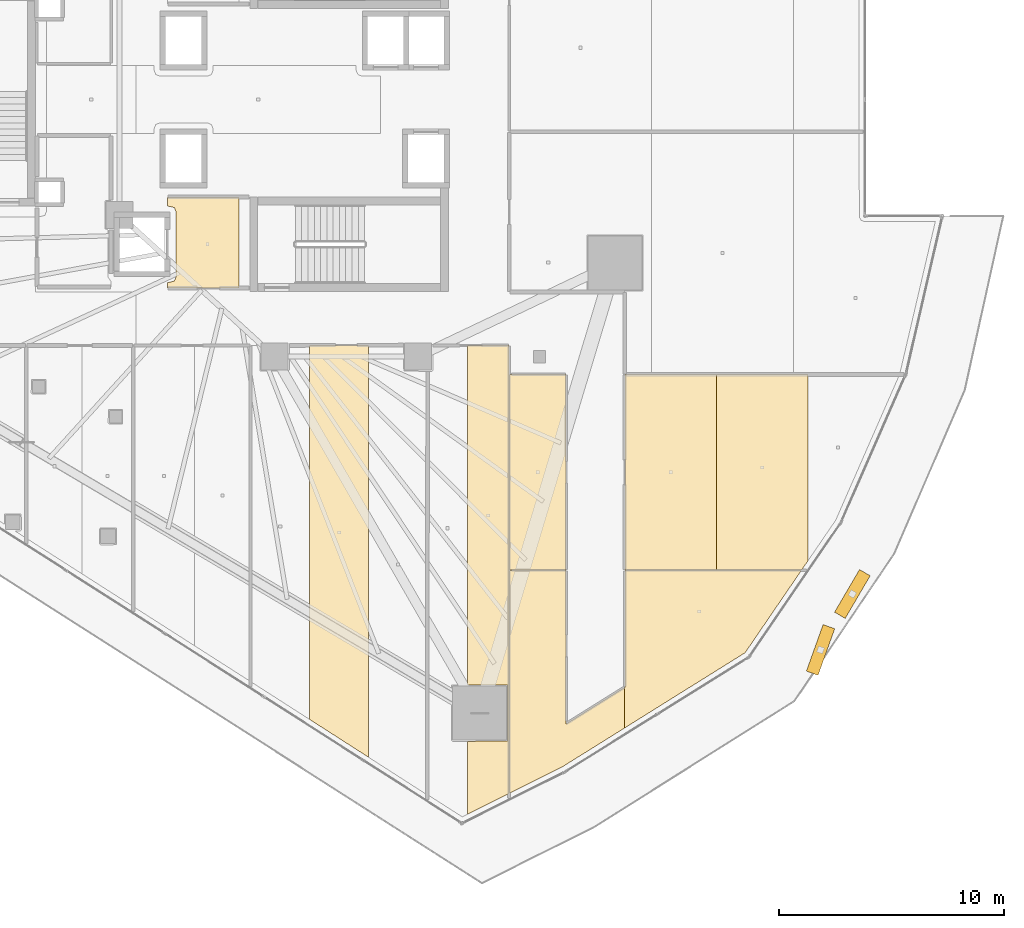
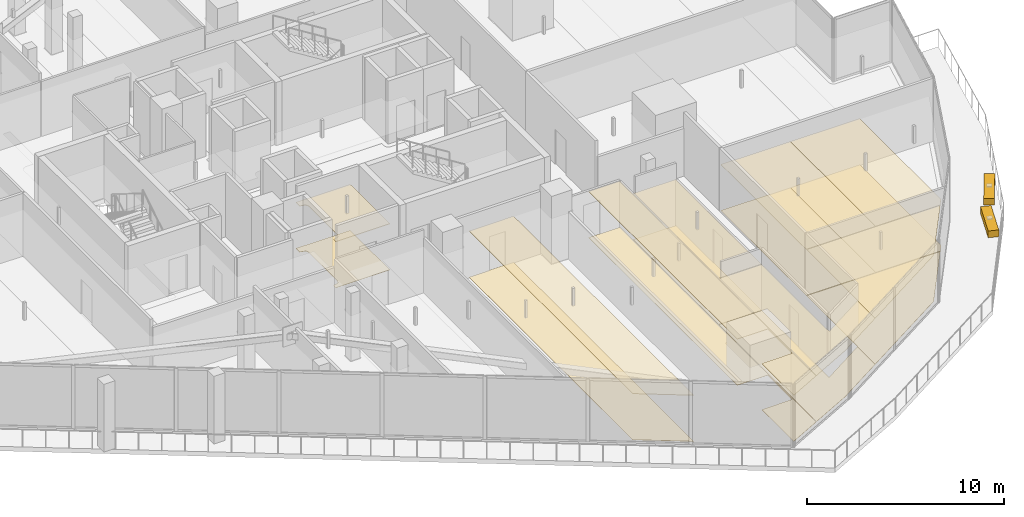
# One storey, part 41 of 47: 16 coverings, 2 shading devices.
"""IFC4 building model written with IfcOpenShell, lengths in metres."""

from ifc_helpers import new_model, si_unit, direction, frame, origin, origin_2d, place, context, subcontext, project, spatial, polyline, rectangle, outline, extrude, material, layer, layer_set, type_object, element, save


model = new_model("IFC4")

# Units and contexts
model_context = context("Model", 3, precision=1e-05, world=origin(), true_north=direction((0.0, 1.0)))
body_context = subcontext(model_context, "Body", "Model", "MODEL_VIEW")
ifc_project = project(units=[si_unit("LENGTHUNIT", "METRE"), si_unit("AREAUNIT", "SQUARE_METRE"), si_unit("VOLUMEUNIT", "CUBIC_METRE"), si_unit("PLANEANGLEUNIT", "RADIAN"), si_unit("MASSUNIT", "GRAM", prefix="KILO")], contexts=[model_context])

# Site, building, storey
site_placement = place(None, origin())
site = spatial("IfcSite", under=ifc_project, at=site_placement, CompositionType="ELEMENT")
building_placement = place(site_placement, origin())
building = spatial("IfcBuilding", under=site, at=building_placement, Name="Qorvath Tower", CompositionType="ELEMENT")
storey_placement = place(building_placement, frame((0.0, 0.0, 74.39990234375)))
storey = spatial("IfcBuildingStorey", under=building, at=storey_placement, Name="L16", CompositionType="ELEMENT", Elevation=74.39990234375)

# Coverings
ifc_material_1 = material(Name="Acoustic mineral fibre ceiling tile", Category="gypsum")
ifc_layer_1 = layer(ifc_material_1, 0.030029296875)
ifc_layer_set_1 = layer_set([ifc_layer_1], Name="COV-CEIL")
covering_type_1 = type_object("IfcCoveringType", Name="COV-CEIL", PredefinedType="CEILING", material=ifc_layer_set_1)
covering_1_placement = place(storey_placement, frame((0.0, 0.0, 2.85009765625)))
element("IfcCovering", 1, at=covering_1_placement, inside=storey, type_object=covering_type_1, Name="L16 Suspended Acoustic Ceiling 002", PredefinedType="CEILING", context=body_context, shape_type="SweptSolid", body=[
    extrude(outline(polyline([(-25.18994140625, -8.39501953125), (-25.18994140625, -4.35498046875), (-28.375, -4.35498046875), (-28.375, -4.739990234375), (-28.063232421875, -4.813232421875), (-27.989990234375, -4.989990234375), (-27.989990234375, -7.909912109375), (-28.063232421875, -8.086669921875), (-28.375, -8.159912109375), (-28.375, -8.39501953125), (-25.18994140625, -8.39501953125)])), origin(), (0.0, 0.0, 1.0), 0.030029296875),
])
covering_2_placement = place(storey_placement, frame((0.0, 0.0, 2.85009765625)))
element("IfcCovering", 2, at=covering_2_placement, inside=storey, type_object=covering_type_1, Name="L16 Suspended Acoustic Ceiling 019", PredefinedType="CEILING", context=body_context, shape_type="SweptSolid", body=[
    extrude(outline(polyline([(-22.031005859375, -10.958740234375), (-22.031005859375, -27.615478515625), (-19.408447265625, -29.298095703125), (-19.408447265625, -10.947021484375), (-22.031005859375, -10.958740234375)])), origin(), (0.0, 0.0, 1.0), 0.030029296875),
])
covering_3_placement = place(storey_placement, frame((0.0, 0.0, 2.85009765625)))
element("IfcCovering", 3, at=covering_3_placement, inside=storey, type_object=covering_type_1, Name="L16 Suspended Acoustic Ceiling 022", PredefinedType="CEILING", context=body_context, shape_type="SweptSolid", body=[
    extrude(outline(polyline([(-13.155029296875, -30.91064453125), (-13.155029296875, -10.962890625), (-15.00830078125, -10.962890625), (-15.00830078125, -26.08837890625), (-13.221923828125, -26.08837890625), (-13.221923828125, -28.5732421875), (-15.00830078125, -28.5859375), (-15.00830078125, -31.837158203125), (-13.155029296875, -30.91064453125)])), origin(), (0.0, 0.0, 1.0), 0.030029296875),
])
covering_4_placement = place(storey_placement, frame((0.0, 0.0, 2.85009765625)))
element("IfcCovering", 4, at=covering_4_placement, inside=storey, type_object=covering_type_1, Name="L16 Suspended Acoustic Ceiling 023", PredefinedType="CEILING", context=body_context, shape_type="SweptSolid", body=[
    extrude(outline(polyline([(-13.136962890625, -20.970703125), (-13.136962890625, -30.901611328125), (-10.7705078125, -29.71826171875), (-8.008544921875, -27.99365234375), (-8.008544921875, -26.184814453125), (-10.608642578125, -27.809814453125), (-10.613037109375, -20.970703125), (-13.136962890625, -20.970703125)])), origin(), (0.0, 0.0, 1.0), 0.030029296875),
])
covering_5_placement = place(storey_placement, frame((0.0, 0.0, 2.85009765625)))
element("IfcCovering", 5, at=covering_5_placement, inside=storey, type_object=covering_type_1, Name="L16 Suspended Acoustic Ceiling 024", PredefinedType="CEILING", context=body_context, shape_type="SweptSolid", body=[
    extrude(outline(polyline([(-8.008544921875, -26.184814453125), (-8.008544921875, -27.99365234375), (-2.63671875, -24.639404296875), (-0.130859375, -20.970703125), (-7.987060546875, -20.970703125), (-7.987060546875, -26.17138671875), (-8.008544921875, -26.184814453125)])), origin(), (0.0, 0.0, 1.0), 0.030029296875),
])
covering_6_placement = place(storey_placement, frame((0.0, 0.0, 2.85009765625)))
element("IfcCovering", 6, at=covering_6_placement, inside=storey, type_object=covering_type_1, Name="L16 Suspended Acoustic Ceiling 025", PredefinedType="CEILING", context=body_context, shape_type="SweptSolid", body=[
    extrude(outline(polyline([(-7.987060546875, -12.254150390625), (-7.987060546875, -20.95263671875), (-3.912353515625, -20.95263671875), (-3.912353515625, -12.254150390625), (-7.987060546875, -12.254150390625)])), origin(), (0.0, 0.0, 1.0), 0.030029296875),
])
covering_7_placement = place(storey_placement, frame((0.0, 0.0, 2.85009765625)))
element("IfcCovering", 7, at=covering_7_placement, inside=storey, type_object=covering_type_1, Name="L16 Suspended Acoustic Ceiling 026", PredefinedType="CEILING", context=body_context, shape_type="SweptSolid", body=[
    extrude(outline(polyline([(-3.912353515625, -12.254150390625), (-3.912353515625, -20.95263671875), (-0.11865234375, -20.95263671875), (0.162353515625, -20.541259765625), (0.162353515625, -12.254150390625), (-3.912353515625, -12.254150390625)])), origin(), (0.0, 0.0, 1.0), 0.030029296875),
])
covering_8_placement = place(storey_placement, frame((0.0, 0.0, 2.85009765625)))
element("IfcCovering", 8, at=covering_8_placement, inside=storey, type_object=covering_type_1, Name="L16 Suspended Acoustic Ceiling 028", PredefinedType="CEILING", context=body_context, shape_type="SweptSolid", body=[
    extrude(outline(polyline([(-10.613037109375, -20.95263671875), (-10.613037109375, -12.254150390625), (-13.136962890625, -12.254150390625), (-13.136962890625, -20.95263671875), (-10.613037109375, -20.95263671875)])), origin(), (0.0, 0.0, 1.0), 0.030029296875),
])
ifc_material_2 = material(Name="Low-VOC modular carpet tile", Category="textile")
ifc_layer_2 = layer(ifc_material_2, 0.014892578125)
ifc_layer_set_2 = layer_set([ifc_layer_2], Name="COV-FLOOR-CPT")
covering_type_2 = type_object("IfcCoveringType", Name="COV-FLOOR-CPT", PredefinedType="FLOORING", material=ifc_layer_set_2)
covering_9_placement = place(storey_placement, origin())
element("IfcCovering", 9, at=covering_9_placement, inside=storey, type_object=covering_type_2, Name="L16 Floor Finish 019", PredefinedType="FLOORING", context=body_context, shape_type="SweptSolid", body=[
    extrude(outline(polyline([(-22.031005859375, -10.958740234375), (-22.031005859375, -27.615478515625), (-19.408447265625, -29.298095703125), (-19.408447265625, -10.947021484375), (-22.031005859375, -10.958740234375)])), origin(), (0.0, 0.0, 1.0), 0.01513671875),
])
covering_10_placement = place(storey_placement, origin())
element("IfcCovering", 10, at=covering_10_placement, inside=storey, type_object=covering_type_2, Name="L16 Floor Finish 022", PredefinedType="FLOORING", context=body_context, shape_type="SweptSolid", body=[
    extrude(outline(polyline([(-13.155029296875, -30.91064453125), (-13.155029296875, -10.962890625), (-15.00830078125, -10.962890625), (-15.00830078125, -26.08837890625), (-13.221923828125, -26.08837890625), (-13.221923828125, -28.5732421875), (-15.00830078125, -28.5859375), (-15.00830078125, -31.837158203125), (-13.155029296875, -30.91064453125)])), origin(), (0.0, 0.0, 1.0), 0.01513671875),
])
covering_11_placement = place(storey_placement, origin())
element("IfcCovering", 11, at=covering_11_placement, inside=storey, type_object=covering_type_2, Name="L16 Floor Finish 023", PredefinedType="FLOORING", context=body_context, shape_type="SweptSolid", body=[
    extrude(outline(polyline([(-13.136962890625, -20.970703125), (-13.136962890625, -30.901611328125), (-10.7705078125, -29.71826171875), (-8.008544921875, -27.99365234375), (-8.008544921875, -26.184814453125), (-10.608642578125, -27.809814453125), (-10.613037109375, -20.970703125), (-13.136962890625, -20.970703125)])), origin(), (0.0, 0.0, 1.0), 0.01513671875),
])
covering_12_placement = place(storey_placement, origin())
element("IfcCovering", 12, at=covering_12_placement, inside=storey, type_object=covering_type_2, Name="L16 Floor Finish 024", PredefinedType="FLOORING", context=body_context, shape_type="SweptSolid", body=[
    extrude(outline(polyline([(-8.008544921875, -26.184814453125), (-8.008544921875, -27.99365234375), (-2.63671875, -24.639404296875), (-0.130859375, -20.970703125), (-7.987060546875, -20.970703125), (-7.987060546875, -26.17138671875), (-8.008544921875, -26.184814453125)])), origin(), (0.0, 0.0, 1.0), 0.01513671875),
])
covering_13_placement = place(storey_placement, origin())
element("IfcCovering", 13, at=covering_13_placement, inside=storey, type_object=covering_type_2, Name="L16 Floor Finish 025", PredefinedType="FLOORING", context=body_context, shape_type="SweptSolid", body=[
    extrude(outline(polyline([(-7.987060546875, -12.254150390625), (-7.987060546875, -20.95263671875), (-3.912353515625, -20.95263671875), (-3.912353515625, -12.254150390625), (-7.987060546875, -12.254150390625)])), origin(), (0.0, 0.0, 1.0), 0.01513671875),
])
covering_14_placement = place(storey_placement, origin())
element("IfcCovering", 14, at=covering_14_placement, inside=storey, type_object=covering_type_2, Name="L16 Floor Finish 026", PredefinedType="FLOORING", context=body_context, shape_type="SweptSolid", body=[
    extrude(outline(polyline([(-3.912353515625, -12.254150390625), (-3.912353515625, -20.95263671875), (-0.11865234375, -20.95263671875), (0.162353515625, -20.541259765625), (0.162353515625, -12.254150390625), (-3.912353515625, -12.254150390625)])), origin(), (0.0, 0.0, 1.0), 0.01513671875),
])
covering_15_placement = place(storey_placement, origin())
element("IfcCovering", 15, at=covering_15_placement, inside=storey, type_object=covering_type_2, Name="L16 Floor Finish 028", PredefinedType="FLOORING", context=body_context, shape_type="SweptSolid", body=[
    extrude(outline(polyline([(-10.613037109375, -20.95263671875), (-10.613037109375, -12.254150390625), (-13.136962890625, -12.254150390625), (-13.136962890625, -20.95263671875), (-10.613037109375, -20.95263671875)])), origin(), (0.0, 0.0, 1.0), 0.01513671875),
])
ifc_material_3 = material(Name="Polished epoxy terrazzo flooring", Category="concrete")
ifc_layer_3 = layer(ifc_material_3, 0.02001953125)
ifc_layer_set_3 = layer_set([ifc_layer_3], Name="COV-FLOOR-TRZ")
covering_type_3 = type_object("IfcCoveringType", Name="COV-FLOOR-TRZ", PredefinedType="FLOORING", material=ifc_layer_set_3)
covering_16_placement = place(storey_placement, origin())
element("IfcCovering", 16, at=covering_16_placement, inside=storey, type_object=covering_type_3, Name="L16 Floor Finish 002", PredefinedType="FLOORING", context=body_context, shape_type="SweptSolid", body=[
    extrude(outline(polyline([(-25.18994140625, -8.39501953125), (-25.18994140625, -4.35498046875), (-28.375, -4.35498046875), (-28.375, -4.739990234375), (-28.063232421875, -4.813232421875), (-27.989990234375, -4.989990234375), (-27.989990234375, -7.909912109375), (-28.063232421875, -8.086669921875), (-28.375, -8.159912109375), (-28.375, -8.39501953125), (-25.18994140625, -8.39501953125)])), origin(), (0.0, 0.0, 1.0), 0.01513671875),
])

# Shading devices
ifc_material_4 = material(Name="Anodised bronze-champagne aluminium", Category="aluminium")
shading_device_type = type_object("IfcShadingDeviceType", Name="SD-LOUVRE", PredefinedType="JALOUSIE", material=ifc_material_4)
for number, where, z_axis, x_axis, name in (
    (17, (0.720703125, -24.515869140625, 3.500244140625), (0.0, 0.0, 1.0), (0.337407443338, 0.941358708028, 0.0), "Sinusoidal Wave Louvre Blade L16-03"),
    (18, (2.13720703125, -22.023681640625, 3.500244140625), (0.0, 0.0, 1.0), (0.505422456771, 0.862872030021, 0.0), "Sinusoidal Wave Louvre Blade L16-04"),
):
    element("IfcShadingDevice", number, at=place(storey_placement, frame(where, z_axis=z_axis, x_axis=x_axis)), inside=storey, type_object=shading_device_type, Name=name, PredefinedType="NOTDEFINED", context=body_context, shape_type="SweptSolid", body=[
        extrude(rectangle(XDim=2.199951171875, YDim=0.550048828125, at=origin_2d()), origin(), (0.0, 0.0, 1.0), 0.419921875),
    ])

save(model, "model.ifc")
